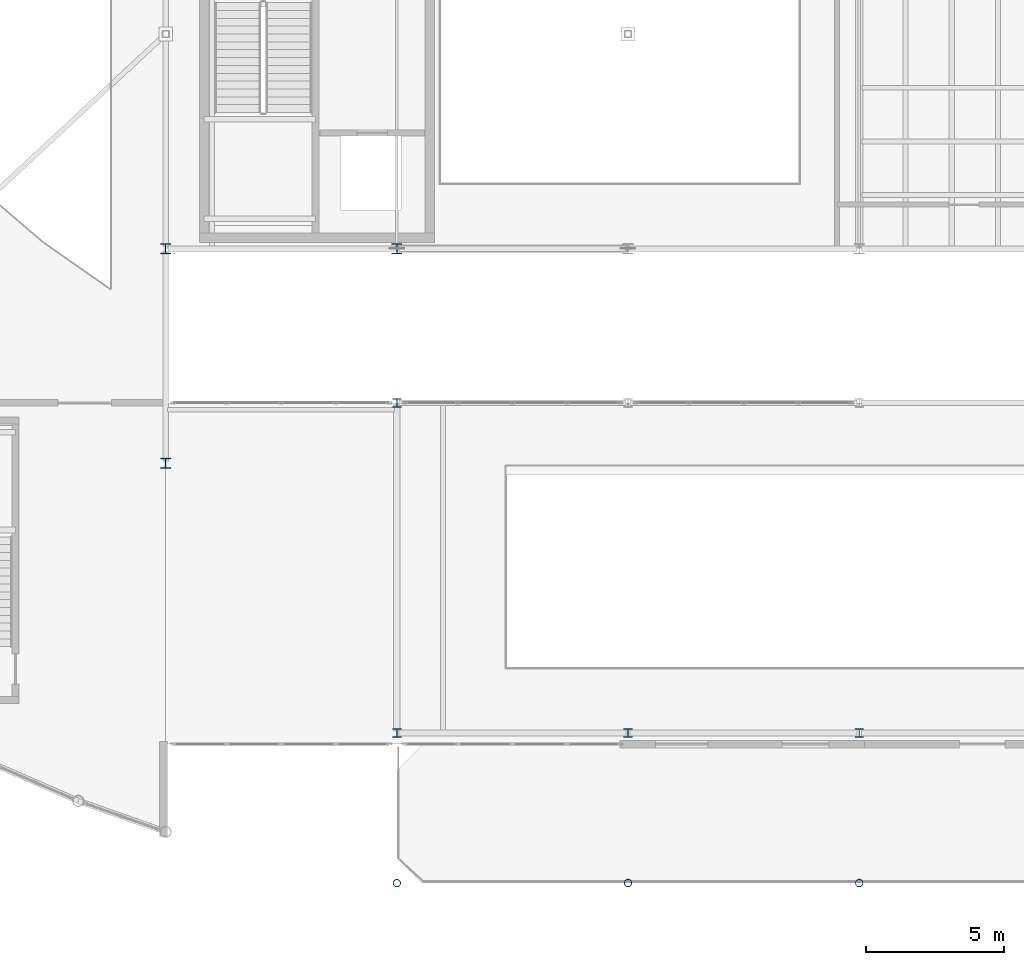
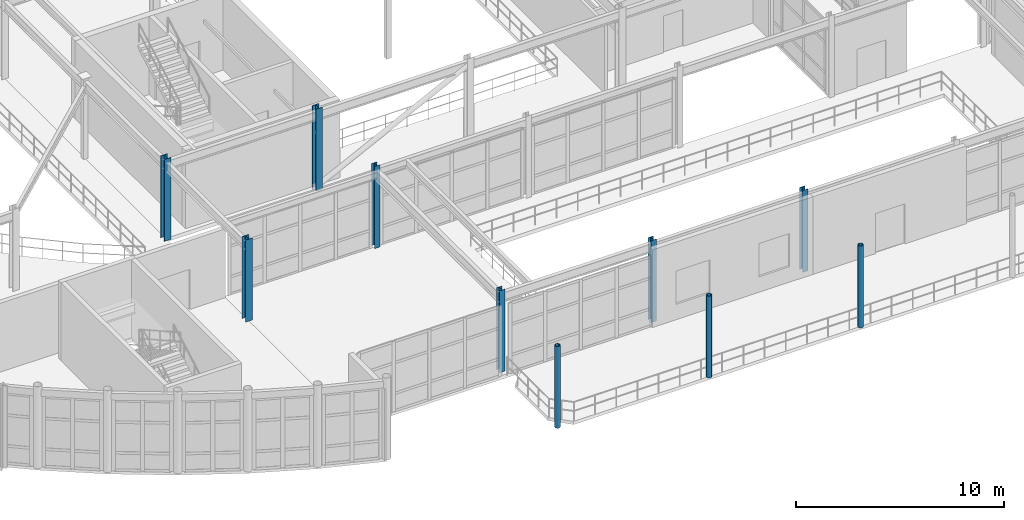
# One storey, part 2 of 116: 10 columns.
"""IFC4 building model written with IfcOpenShell, lengths in metres."""

from ifc_helpers import new_model, si_unit, direction, frame, origin, origin_2d, place, context, subcontext, project, spatial, hollow_circle, i_section, extrude, material, material_profile, profile_set, type_object, element, save


model = new_model("IFC4")

# Units and contexts
model_context = context("Model", 3, precision=1e-05, world=origin(), true_north=direction((0.0, 1.0)))
body_context = subcontext(model_context, "Body", "Model", "MODEL_VIEW")
ifc_project = project(units=[si_unit("LENGTHUNIT", "METRE"), si_unit("AREAUNIT", "SQUARE_METRE"), si_unit("VOLUMEUNIT", "CUBIC_METRE"), si_unit("PLANEANGLEUNIT", "RADIAN"), si_unit("MASSUNIT", "GRAM", prefix="KILO")], contexts=[model_context])

# Site, building, storey
site_placement = place(None, origin())
site = spatial("IfcSite", under=ifc_project, at=site_placement, CompositionType="ELEMENT")
building_placement = place(site_placement, origin())
building = spatial("IfcBuilding", under=site, at=building_placement, Name="Selat Folded Stagehouse", CompositionType="ELEMENT")
storey_placement = place(building_placement, frame((0.0, 0.0, 5.39990234375)))
storey = spatial("IfcBuildingStorey", under=building, at=storey_placement, Name="L01", CompositionType="ELEMENT", Elevation=5.39990234375)

# Columns
ifc_material = material(Name="Steel S355", Category="steel")
ifc_material_profile_1 = material_profile(ifc_material, hollow_circle(Radius=0.136474609375, WallThickness=0.012451171875, at=origin_2d()), Name="CHS 273.0x12.5")
ifc_profile_set_1 = profile_set([ifc_material_profile_1], Name="Steel S355")
column_type_1 = type_object("IfcColumnType", Name="COL-CHS-273x12.5", PredefinedType="COLUMN", material=ifc_profile_set_1)
for number, where, z_axis, x_axis, name in (
    (1, (42.0, 0.35009765625, 0.0), (0.0, 0.0, 1.0), (1.0, 0.0, 0.0), "L01 column STK-COLPOST-42"),
    (2, (50.39990234375, 0.35009765625, 0.0), (0.0, 0.0, 1.0), (1.0, 0.0, 0.0), "L01 column STK-COLPOST-50"),
    (3, (58.800048828125, 0.35009765625, 0.0), (0.0, 0.0, 1.0), (1.0, 0.0, 0.0), "L01 column STK-COLPOST-58"),
):
    element("IfcColumn", number, at=place(storey_placement, frame(where, z_axis=z_axis, x_axis=x_axis)), inside=storey, type_object=column_type_1, Name=name, PredefinedType="COLUMN", context=body_context, shape_type="SweptSolid", body=[
        extrude(hollow_circle(Radius=0.136474609375, WallThickness=0.012451171875, at=origin_2d()), origin(), (0.0, 0.0, 1.0), 4.800048828125),
    ])
ifc_material_profile_2 = material_profile(ifc_material, i_section(OverallWidth=0.305419921875, OverallDepth=0.307861328125, WebThickness=0.010009765625, FlangeThickness=0.015380859375, FilletRadius=0.01513671875, at=origin_2d()), Name="UKC 305x305x97")
ifc_profile_set_2 = profile_set([ifc_material_profile_2], Name="Steel S355")
column_type_2 = type_object("IfcColumnType", Name="COL-UKC-305x305x97", PredefinedType="COLUMN", material=ifc_profile_set_2)
for number, where, z_axis, x_axis, name in (
    (4, (42.0, 5.800048828125, 0.0), (0.0, 0.0, 1.0), (1.0, 0.0, 0.0), "L01 column STK-V5-42-58"),
    (5, (42.0, 17.800048828125, 0.0), (0.0, 0.0, 1.0), (1.0, 0.0, 0.0), "L01 column STK-V5-42-178"),
    (6, (50.39990234375, 5.800048828125, 0.0), (0.0, 0.0, 1.0), (1.0, 0.0, 0.0), "L01 column STK-V5-50-58"),
    (7, (58.800048828125, 5.800048828125, 0.0), (0.0, 0.0, 1.0), (1.0, 0.0, 0.0), "L01 column STK-V5-58-58"),
):
    element("IfcColumn", number, at=place(storey_placement, frame(where, z_axis=z_axis, x_axis=x_axis)), inside=storey, type_object=column_type_2, Name=name, PredefinedType="COLUMN", context=body_context, shape_type="SweptSolid", body=[
        extrude(i_section(OverallWidth=0.305419921875, OverallDepth=0.307861328125, WebThickness=0.010009765625, FlangeThickness=0.015380859375, FilletRadius=0.01513671875, at=origin_2d()), origin(), (0.0, 0.0, 1.0), 4.800048828125),
    ])
ifc_material_profile_3 = material_profile(ifc_material, i_section(OverallWidth=0.37255859375, OverallDepth=0.3681640625, WebThickness=0.014404296875, FlangeThickness=0.023681640625, FilletRadius=0.01513671875, at=origin_2d()), Name="UKC 356x368x177")
ifc_profile_set_3 = profile_set([ifc_material_profile_3], Name="Steel S355")
column_type_3 = type_object("IfcColumnType", Name="COL-UKC-356x368x177", PredefinedType="COLUMN", material=ifc_profile_set_3)
for number, where, z_axis, x_axis, name in (
    (8, (33.60009765625, 15.60009765625, 0.0), (0.0, 0.0, 1.0), (1.0, 0.0, 0.0), "L01 column STK-V2-06"),
    (9, (33.60009765625, 23.39990234375, 0.0), (0.0, 0.0, 1.0), (1.0, 0.0, 0.0), "L01 column STK-V2-07"),
    (10, (42.0, 23.39990234375, 0.0), (0.0, 0.0, 1.0), (1.0, 0.0, 0.0), "L01 column STK-V2-11"),
):
    element("IfcColumn", number, at=place(storey_placement, frame(where, z_axis=z_axis, x_axis=x_axis)), inside=storey, type_object=column_type_3, Name=name, PredefinedType="COLUMN", context=body_context, shape_type="SweptSolid", body=[
        extrude(i_section(OverallWidth=0.37255859375, OverallDepth=0.3681640625, WebThickness=0.014404296875, FlangeThickness=0.023681640625, FilletRadius=0.01513671875, at=origin_2d()), origin(), (0.0, 0.0, 1.0), 4.800048828125),
    ])

save(model, "model.ifc")
